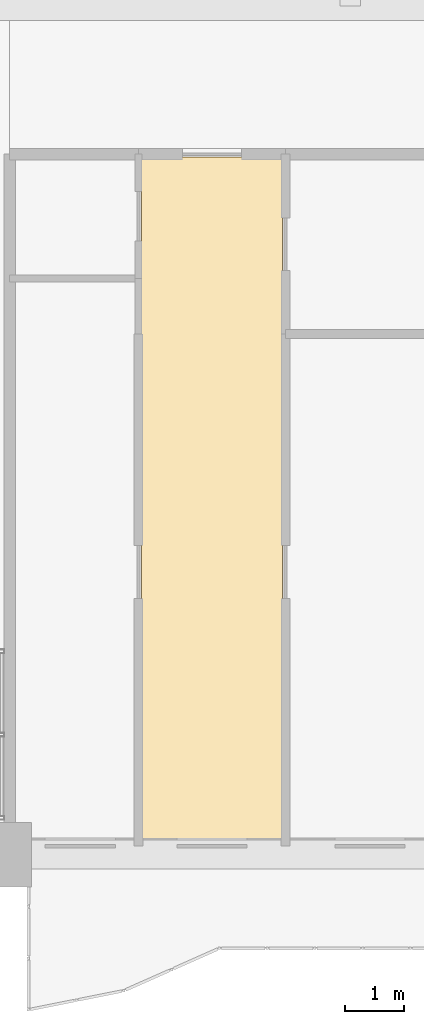
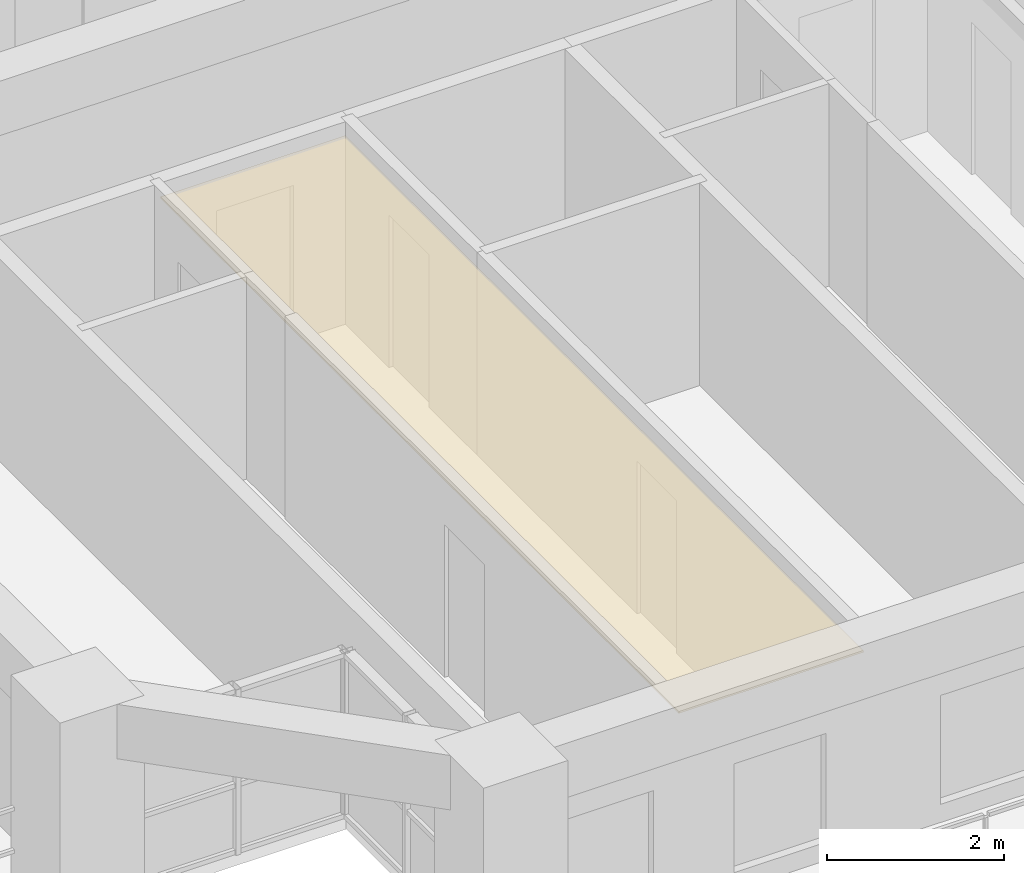
# One storey, part 23 of 28: 1 covering.
"""IFC4 building model written with IfcOpenShell, lengths in metres."""

from ifc_helpers import new_model, si_unit, direction, frame, origin, place, context, subcontext, project, spatial, polyline, outline, extrude, material, layer, layer_set, type_object, element, save


model = new_model("IFC4")

# Units and contexts
model_context = context("Model", 3, precision=1e-05, world=origin(), true_north=direction((0.0, 1.0)))
body_context = subcontext(model_context, "Body", "Model", "MODEL_VIEW")
ifc_project = project(units=[si_unit("LENGTHUNIT", "METRE"), si_unit("AREAUNIT", "SQUARE_METRE"), si_unit("VOLUMEUNIT", "CUBIC_METRE"), si_unit("PLANEANGLEUNIT", "RADIAN"), si_unit("MASSUNIT", "GRAM", prefix="KILO")], contexts=[model_context])

# Site, building, storey
site_placement = place(None, origin())
site = spatial("IfcSite", under=ifc_project, at=site_placement, CompositionType="ELEMENT")
building_placement = place(site_placement, origin())
building = spatial("IfcBuilding", under=site, at=building_placement, Name="Saelheon Loggia Tower", CompositionType="ELEMENT")
storey_placement = place(building_placement, frame((0.0, 0.0, 25.39990234375)))
storey = spatial("IfcBuildingStorey", under=building, at=storey_placement, Name="L07", CompositionType="ELEMENT", Elevation=25.39990234375)

# Covering
ifc_material = material(Name="Mineral-Fibre Acoustic Ceiling Board", Category="gypsum")
ifc_layer = layer(ifc_material, 0.02490234375)
ifc_layer_set = layer_set([ifc_layer], Name="Mineral-Fibre Acoustic Ceiling Board")
covering_type = type_object("IfcCoveringType", Name="Cov_Ceiling_Acoustic", PredefinedType="CEILING", material=ifc_layer_set)
covering_placement = place(storey_placement, frame((0.0, 0.0, 2.53515625)))
element("IfcCovering", 1, at=covering_placement, inside=storey, type_object=covering_type, Name="L07 Acoustic Suspended Ceiling", PredefinedType="CEILING", context=body_context, shape_type="SweptSolid", body=[
    extrude(outline(polyline([(17.929931640625, 3.199951171875), (20.335205078125, 3.199951171875), (20.335205078125, 14.89990234375), (17.929931640625, 14.89990234375), (17.929931640625, 3.199951171875)])), origin(), (0.0, 0.0, 1.0), 0.02490234375),
])

save(model, "model.ifc")
